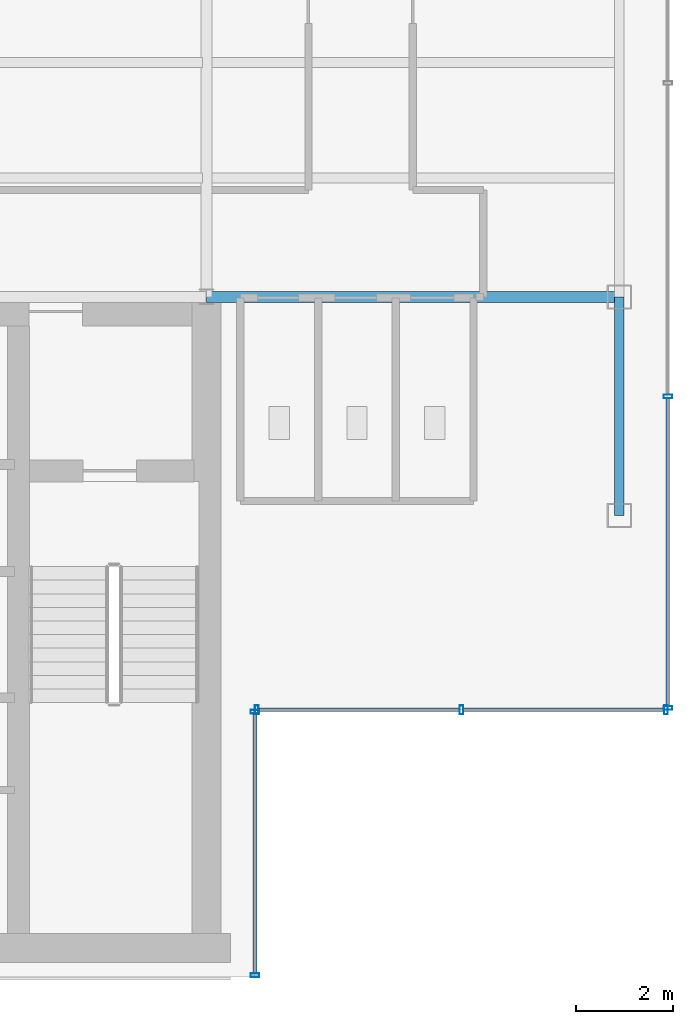
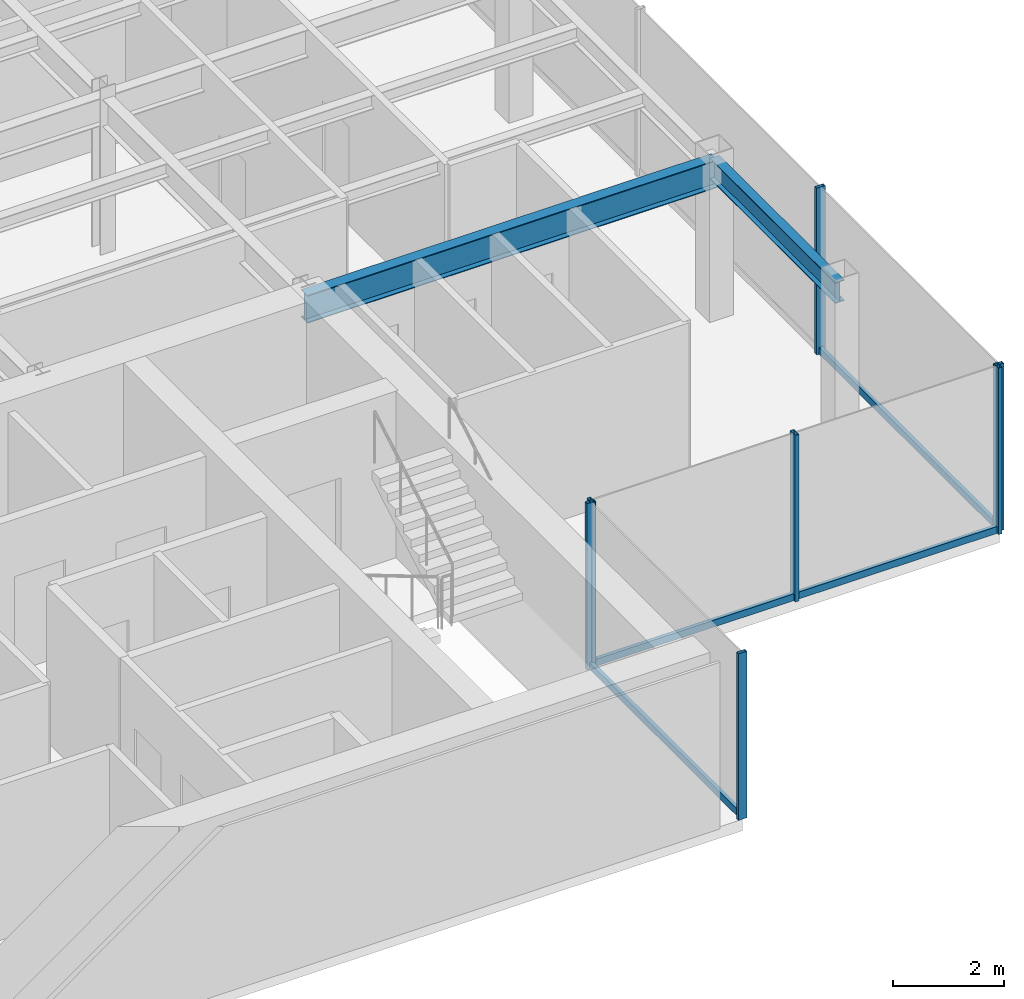
# One storey, part 9 of 22: 11 members, 2 beams, 3 elements without a shape of their own.
"""IFC4 building model written with IfcOpenShell, lengths in metres."""

from ifc_helpers import new_model, si_unit, derived_unit, direction, frame, origin, origin_2d, place, context, subcontext, project, spatial, hollow_rectangle, i_section, extrude, source, transform, mapped, material, material_profile, profile_set, type_object, element, aggregate, save


model = new_model("IFC4")

# Units and contexts
model_context = context("Model", 3, precision=1e-05, world=origin(), true_north=direction((0.0, 1.0)))
body_context = subcontext(model_context, "Body", "Model", "MODEL_VIEW")
ifc_project = project(units=[si_unit("LENGTHUNIT", "METRE"), si_unit("AREAUNIT", "SQUARE_METRE"), si_unit("VOLUMEUNIT", "CUBIC_METRE"), si_unit("PLANEANGLEUNIT", "RADIAN"), si_unit("MASSUNIT", "GRAM", prefix="KILO"), derived_unit("THERMALTRANSMITTANCEUNIT", [(si_unit("POWERUNIT", "WATT"), 1), (si_unit("LENGTHUNIT", "METRE"), -2), (si_unit("THERMODYNAMICTEMPERATUREUNIT", "KELVIN"), -1)])], contexts=[model_context])

# Site, building, storey
site_placement = place(None, origin())
site = spatial("IfcSite", under=ifc_project, at=site_placement, CompositionType="ELEMENT")
building_placement = place(site_placement, origin())
building = spatial("IfcBuilding", under=site, at=building_placement, Name="Skarnbrae Concourse Arena and Tower", CompositionType="ELEMENT")
storey_placement = place(building_placement, frame((0.0, 0.0, 266.10009765625)))
storey = spatial("IfcBuildingStorey", under=building, at=storey_placement, Name="L69", CompositionType="ELEMENT", Elevation=266.10009765625)

# Beams
ifc_material_1 = material(Name="Steel CSA G40.21 350W", Category="steel")
ifc_material_profile_1 = material_profile(ifc_material_1, i_section(OverallWidth=0.22802734375, OverallDepth=0.60791015625, WebThickness=0.01123046875, FlangeThickness=0.017333984375, at=origin_2d()), Name="W610X113")
ifc_profile_set_1 = profile_set([ifc_material_profile_1], Name="Steel CSA G40.21 350W")
beam_type_1 = type_object("IfcBeamType", Name="BM-GIRD-W610X113", PredefinedType="BEAM", material=ifc_profile_set_1)
shared_shape_1 = source(origin(), body_context, "Body", "SweptSolid", [
    extrude(i_section(OverallWidth=0.22802734375, OverallDepth=0.60791015625, WebThickness=0.01123046875, FlangeThickness=0.017333984375, at=origin_2d()), origin(), (0.0, 0.0, 1.0), 8.5),
])
beam_1_placement = place(storey_placement, frame((33.5, 14.0, 3.095947265625), z_axis=(1.0, 0.0, 0.0), x_axis=(0.0, 1.0, 0.0)))
element("IfcBeam", 1, at=beam_1_placement, inside=storey, type_object=beam_type_1, Name="L69 Primary E-W girder Y14.0-6", PredefinedType="BEAM", context=body_context, shape_type="MappedRepresentation", body=[
    mapped(shared_shape_1, transform((0.0, 0.0, 0.0))),
])
ifc_material_profile_2 = material_profile(ifc_material_1, i_section(OverallWidth=0.19091796875, OverallDepth=0.4599609375, WebThickness=0.010009765625, FlangeThickness=0.01611328125, at=origin_2d()), Name="W460X82")
ifc_profile_set_2 = profile_set([ifc_material_profile_2], Name="Steel CSA G40.21 350W")
beam_type_2 = type_object("IfcBeamType", Name="BM-SPAN-W460X82", PredefinedType="SPANDREL", material=ifc_profile_set_2)
shared_shape_2 = source(origin(), body_context, "Body", "SweptSolid", [
    extrude(i_section(OverallWidth=0.19091796875, OverallDepth=0.4599609375, WebThickness=0.010009765625, FlangeThickness=0.01611328125, at=origin_2d()), origin(), (0.0, 0.0, 1.0), 4.5),
])
beam_2_placement = place(storey_placement, frame((42.0, 9.5, 3.169921875), z_axis=(0.0, 1.0, 0.0), x_axis=(-1.0, 0.0, 0.0)))
element("IfcBeam", 2, at=beam_2_placement, inside=storey, type_object=beam_type_2, Name="L69 Perimeter spandrel X42.0-1", PredefinedType="SPANDREL", context=body_context, shape_type="MappedRepresentation", body=[
    mapped(shared_shape_2, transform((0.0, 0.0, 0.0))),
])

# Curtain wall, members
ifc_material_2 = material(Name="Bronze anodised aluminium 6063-T6", Category="aluminium")
curtain_wall_type = type_object("IfcCurtainWallType", Name="CW-SYS-05-HIGHZONE", PredefinedType="USERDEFINED", material=ifc_material_2)
curtain_wall_1_placement = place(storey_placement, origin())
curtain_wall_1 = element("IfcCurtainWall", 3, at=curtain_wall_1_placement, inside=storey, type_object=curtain_wall_type, Name="L69 Unitised curtain wall CW-L69-E02", ObjectType="UNITISED CURTAIN WALL", PredefinedType="USERDEFINED")
ifc_material_profile_3 = material_profile(ifc_material_2, hollow_rectangle(XDim=0.074951171875, YDim=0.179931640625, WallThickness=0.00390625, at=origin_2d()), Name="ALU-MULL-75X180")
ifc_profile_set_3 = profile_set([ifc_material_profile_3], Name="Bronze anodised aluminium 6063-T6")
member_type_1 = type_object("IfcMemberType", Name="CWM-CW-05", PredefinedType="MULLION", material=ifc_profile_set_3)
shared_shape_3 = source(origin(), body_context, "Body", "SweptSolid", [
    extrude(hollow_rectangle(XDim=0.074951171875, YDim=0.179931640625, WallThickness=0.00390625, at=origin_2d()), origin(), (0.0, 0.0, 1.0), 3.64990234375),
])
member_1_placement = place(storey_placement, frame((34.5, 0.03759765625, 0.0), z_axis=(0.0, 0.0, 1.0), x_axis=(0.0, 1.0, 0.0)))
member_1 = element("IfcMember", 4, at=member_1_placement, type_object=member_type_1, Name="CW-L69-E02 Mullion 1", PredefinedType="MULLION", context=body_context, shape_type="MappedRepresentation", body=[
    mapped(shared_shape_3, transform((0.0, 0.0, 0.0))),
])
member_2_placement = place(storey_placement, frame((34.5, 5.46240234375, 0.0), z_axis=(0.0, 0.0, 1.0), x_axis=(0.0, 1.0, 0.0)))
member_2 = element("IfcMember", 5, at=member_2_placement, type_object=member_type_1, Name="CW-L69-E02 Mullion 2", PredefinedType="MULLION", context=body_context, shape_type="MappedRepresentation", body=[
    mapped(shared_shape_3, transform((0.0, 0.0, 0.0))),
])

curtain_wall_2_placement = place(storey_placement, origin())
curtain_wall_2 = element("IfcCurtainWall", 6, at=curtain_wall_2_placement, inside=storey, type_object=curtain_wall_type, Name="L69 Unitised curtain wall CW-L69-E03", ObjectType="UNITISED CURTAIN WALL", PredefinedType="USERDEFINED")
member_3_placement = place(storey_placement, frame((34.53759765625, 5.5, 0.0), z_axis=(0.0, 0.0, 1.0), x_axis=(1.0, 0.0, 0.0)))
member_3 = element("IfcMember", 7, at=member_3_placement, type_object=member_type_1, Name="CW-L69-E03 Mullion 1", PredefinedType="MULLION", context=body_context, shape_type="MappedRepresentation", body=[
    mapped(shared_shape_3, transform((0.0, 0.0, 0.0))),
])
member_4_placement = place(storey_placement, frame((38.75, 5.5, 0.0), z_axis=(0.0, 0.0, 1.0), x_axis=(1.0, 0.0, 0.0)))
member_4 = element("IfcMember", 8, at=member_4_placement, type_object=member_type_1, Name="CW-L69-E03 Mullion 2", PredefinedType="MULLION", context=body_context, shape_type="MappedRepresentation", body=[
    mapped(shared_shape_3, transform((0.0, 0.0, 0.0))),
])
member_5_placement = place(storey_placement, frame((42.96240234375, 5.5, 0.0), z_axis=(0.0, 0.0, 1.0), x_axis=(1.0, 0.0, 0.0)))
member_5 = element("IfcMember", 9, at=member_5_placement, type_object=member_type_1, Name="CW-L69-E03 Mullion 3", PredefinedType="MULLION", context=body_context, shape_type="MappedRepresentation", body=[
    mapped(shared_shape_3, transform((0.0, 0.0, 0.0))),
])

curtain_wall_3_placement = place(storey_placement, origin())
curtain_wall_3 = element("IfcCurtainWall", 10, at=curtain_wall_3_placement, inside=storey, type_object=curtain_wall_type, Name="L69 Unitised curtain wall CW-L69-E04", ObjectType="UNITISED CURTAIN WALL", PredefinedType="USERDEFINED")
member_6_placement = place(storey_placement, frame((43.0, 5.53759765625, 0.0), z_axis=(0.0, 0.0, 1.0), x_axis=(0.0, 1.0, 0.0)))
member_6 = element("IfcMember", 11, at=member_6_placement, type_object=member_type_1, Name="CW-L69-E04 Mullion 1", PredefinedType="MULLION", context=body_context, shape_type="MappedRepresentation", body=[
    mapped(shared_shape_3, transform((0.0, 0.0, 0.0))),
])
member_7_placement = place(storey_placement, frame((43.0, 11.949951171875, 0.0), z_axis=(0.0, 0.0, 1.0), x_axis=(0.0, 1.0, 0.0)))
member_7 = element("IfcMember", 12, at=member_7_placement, type_object=member_type_1, Name="CW-L69-E04 Mullion 2", PredefinedType="MULLION", context=body_context, shape_type="MappedRepresentation", body=[
    mapped(shared_shape_3, transform((0.0, 0.0, 0.0))),
])

# Member
ifc_material_profile_4 = material_profile(ifc_material_2, hollow_rectangle(XDim=0.074951171875, YDim=0.14990234375, WallThickness=0.00390625, at=origin_2d()), Name="ALU-TRAN-75X150")
ifc_profile_set_4 = profile_set([ifc_material_profile_4], Name="Bronze anodised aluminium 6063-T6")
member_type_2 = type_object("IfcMemberType", Name="CWT-CW-05", PredefinedType="USERDEFINED", material=ifc_profile_set_4)
shared_shape_4 = source(origin(), body_context, "Body", "SweptSolid", [
    extrude(hollow_rectangle(XDim=0.074951171875, YDim=0.14990234375, WallThickness=0.00390625, at=origin_2d()), origin(), (0.0, 0.0, 1.0), 5.35009765625),
])
member_8_placement = place(storey_placement, frame((34.5, 0.074951171875, 0.074951171875), z_axis=(0.0, 1.0, 0.0), x_axis=(-1.0, 0.0, 0.0)))
member_8 = element("IfcMember", 13, at=member_8_placement, type_object=member_type_2, Name="CW-L69-E02 Transom 1", ObjectType="TRANSOM", PredefinedType="USERDEFINED", context=body_context, shape_type="MappedRepresentation", body=[
    mapped(shared_shape_4, transform((0.0, 0.0, 0.0))),
])

aggregate(curtain_wall_1, [member_1, member_2, member_8])

shared_shape_5 = source(origin(), body_context, "Body", "SweptSolid", [
    extrude(hollow_rectangle(XDim=0.074951171875, YDim=0.14990234375, WallThickness=0.00390625, at=origin_2d()), origin(), (0.0, 0.0, 1.0), 4.137451171875),
])
member_9_placement = place(storey_placement, frame((34.574951171875, 5.5, 0.074951171875), z_axis=(1.0, 0.0, 0.0), x_axis=(0.0, 1.0, 0.0)))
member_9 = element("IfcMember", 14, at=member_9_placement, type_object=member_type_2, Name="CW-L69-E03 Transom 1", ObjectType="TRANSOM", PredefinedType="USERDEFINED", context=body_context, shape_type="MappedRepresentation", body=[
    mapped(shared_shape_5, transform((0.0, 0.0, 0.0))),
])

member_10_placement = place(storey_placement, frame((38.78759765625, 5.5, 0.074951171875), z_axis=(1.0, 0.0, 0.0), x_axis=(0.0, 1.0, 0.0)))
member_10 = element("IfcMember", 15, at=member_10_placement, type_object=member_type_2, Name="CW-L69-E03 Transom 2", ObjectType="TRANSOM", PredefinedType="USERDEFINED", context=body_context, shape_type="MappedRepresentation", body=[
    mapped(shared_shape_5, transform((0.0, 0.0, 0.0))),
])

aggregate(curtain_wall_2, [member_3, member_4, member_5, member_9, member_10])

shared_shape_6 = source(origin(), body_context, "Body", "SweptSolid", [
    extrude(hollow_rectangle(XDim=0.074951171875, YDim=0.14990234375, WallThickness=0.00390625, at=origin_2d()), origin(), (0.0, 0.0, 1.0), 6.337646484375),
])
member_11_placement = place(storey_placement, frame((43.0, 5.574951171875, 0.074951171875), z_axis=(0.0, 1.0, 0.0), x_axis=(-1.0, 0.0, 0.0)))
member_11 = element("IfcMember", 16, at=member_11_placement, type_object=member_type_2, Name="CW-L69-E04 Transom 1", ObjectType="TRANSOM", PredefinedType="USERDEFINED", context=body_context, shape_type="MappedRepresentation", body=[
    mapped(shared_shape_6, transform((0.0, 0.0, 0.0))),
])

aggregate(curtain_wall_3, [member_6, member_7, member_11])

save(model, "model.ifc")
